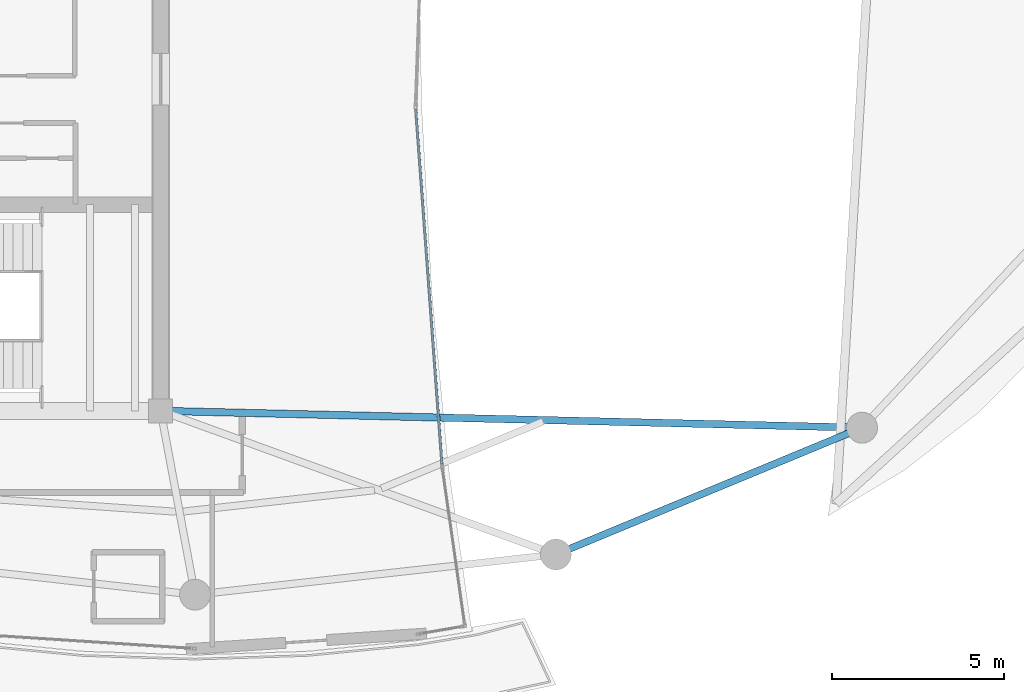
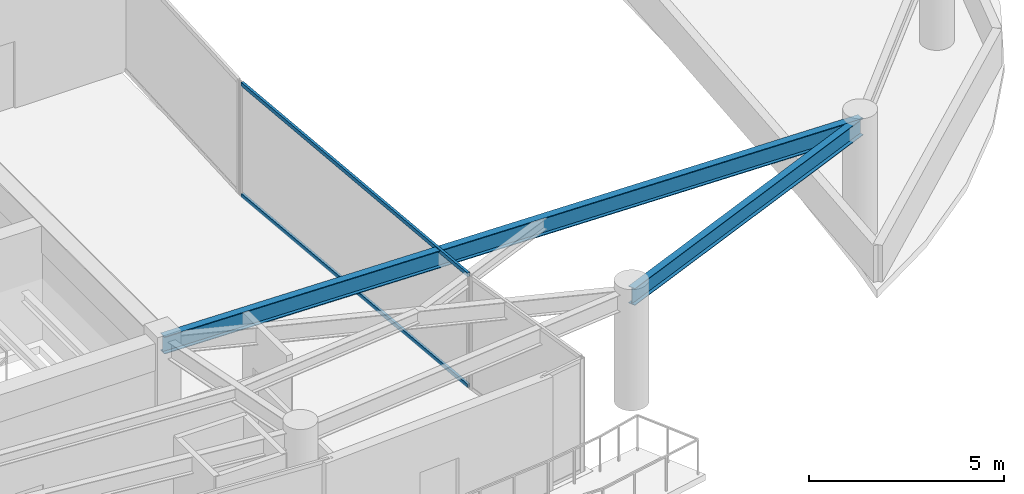
# One storey, part 11 of 23: 2 beams, 2 members, 1 element without a shape of its own.
"""IFC4 building model written with IfcOpenShell, lengths in metres."""

from ifc_helpers import new_model, si_unit, direction, frame, origin, origin_2d, place, context, subcontext, project, spatial, hollow_rectangle, i_section, extrude, material, layer, layer_set, material_profile, profile_set, type_object, element, aggregate, save


model = new_model("IFC4")

# Units and contexts
model_context = context("Model", 3, precision=1e-05, world=origin(), true_north=direction((0.0, 1.0)))
body_context = subcontext(model_context, "Body", "Model", "MODEL_VIEW")
ifc_project = project(units=[si_unit("LENGTHUNIT", "METRE"), si_unit("AREAUNIT", "SQUARE_METRE"), si_unit("VOLUMEUNIT", "CUBIC_METRE"), si_unit("PLANEANGLEUNIT", "RADIAN"), si_unit("MASSUNIT", "GRAM", prefix="KILO")], contexts=[model_context])

# Site, building, storey
site_placement = place(None, origin())
site = spatial("IfcSite", under=ifc_project, at=site_placement, CompositionType="ELEMENT")
building_placement = place(site_placement, origin())
building = spatial("IfcBuilding", under=site, at=building_placement, Name="Kazevale Care Tower and Concert Hall", CompositionType="ELEMENT")
storey_placement = place(building_placement, frame((0.0, 0.0, 266.199951171875)))
storey = spatial("IfcBuildingStorey", under=building, at=storey_placement, Name="L70", CompositionType="ELEMENT", Elevation=266.199951171875)

# Curtain wall, members
ifc_material_1 = material(Name="Aluminium 6063-T6 and Low-E Glass", Category="aluminium")
ifc_layer = layer(ifc_material_1, 0.179931640625)
ifc_layer_set = layer_set([ifc_layer], Name="Aluminium 6063-T6 and Low-E Glass")
curtain_wall_type = type_object("IfcCurtainWallType", Name="Sheltered Concave Balcony Curtain Wall CW-5", PredefinedType="NOTDEFINED", material=ifc_layer_set)
curtain_wall_placement = place(storey_placement, origin())
curtain_wall = element("IfcCurtainWall", 1, at=curtain_wall_placement, inside=storey, type_object=curtain_wall_type, Name="cw:L70:f15", PredefinedType="NOTDEFINED")
ifc_material_2 = material(Name="Aluminium 6063-T6", Category="aluminium")
ifc_material_profile_1 = material_profile(ifc_material_2, hollow_rectangle(XDim=0.074951171875, YDim=0.1201171875, WallThickness=0.00390625, at=origin_2d()), Name="ALU75x120x4")
ifc_profile_set_1 = profile_set([ifc_material_profile_1], Name="Aluminium 6063-T6")
member_type = type_object("IfcMemberType", Name="CW-5 Transom ALU75x120x4", PredefinedType="USERDEFINED", material=ifc_profile_set_1)
member_1_placement = place(storey_placement, frame((51.424560546875, 32.3623046875, 0.03759765625), z_axis=(0.073714215314, -0.997279406416, 0.0), x_axis=(0.997279406416, 0.073714215314, 0.0)))
member_1 = element("IfcMember", 2, at=member_1_placement, type_object=member_type, Name="CW-5 transom 1.1", ObjectType="TRANSOM", PredefinedType="USERDEFINED", context=body_context, shape_type="SweptSolid", body=[
    extrude(hollow_rectangle(XDim=0.074951171875, YDim=0.1201171875, WallThickness=0.00390625, at=origin_2d()), origin(), (0.0, 0.0, 1.0), 10.336669921875),
])
member_2_placement = place(storey_placement, frame((51.424560546875, 32.3623046875, 3.5224609375), z_axis=(0.073714215314, -0.997279406416, 0.0), x_axis=(0.997279406416, 0.073714215314, 0.0)))
member_2 = element("IfcMember", 3, at=member_2_placement, type_object=member_type, Name="CW-5 transom 1.2", ObjectType="TRANSOM", PredefinedType="USERDEFINED", context=body_context, shape_type="SweptSolid", body=[
    extrude(hollow_rectangle(XDim=0.074951171875, YDim=0.1201171875, WallThickness=0.00390625, at=origin_2d()), origin(), (0.0, 0.0, 1.0), 10.336669921875),
])
aggregate(curtain_wall, [member_1, member_2])

# Beams
ifc_material_3 = material(Name="Steel ASTM A572 Gr 50", Category="steel")
ifc_material_profile_2 = material_profile(ifc_material_3, i_section(OverallWidth=0.2119140625, OverallDepth=0.5439453125, WebThickness=0.01318359375, FlangeThickness=0.021240234375, at=origin_2d()), Name="W530x123")
ifc_profile_set_2 = profile_set([ifc_material_profile_2], Name="Steel ASTM A572 Gr 50")
beam_type_1 = type_object("IfcBeamType", Name="Radial Floor Girder W530x123", PredefinedType="BEAM", material=ifc_profile_set_2)
beam_1_placement = place(storey_placement, frame((44.0, 23.60009765625, 3.2880859375), z_axis=(0.999711945342, -0.024000548742, 0.0), x_axis=(0.024000548742, 0.999711945342, 0.0)))
element("IfcBeam", 4, at=beam_1_placement, inside=storey, type_object=beam_type_1, Name="beam:L70:rad:15", PredefinedType="BEAM", context=body_context, shape_type="SweptSolid", body=[
    extrude(i_section(OverallWidth=0.2119140625, OverallDepth=0.5439453125, WebThickness=0.01318359375, FlangeThickness=0.021240234375, at=origin_2d()), origin(), (0.0, 0.0, 1.0), 20.415771484375),
])
ifc_material_profile_3 = material_profile(ifc_material_3, i_section(OverallWidth=0.208984375, OverallDepth=0.532958984375, WebThickness=0.01025390625, FlangeThickness=0.015625, at=origin_2d()), Name="W530x92")
ifc_profile_set_3 = profile_set([ifc_material_profile_3], Name="Steel ASTM A572 Gr 50")
beam_type_2 = type_object("IfcBeamType", Name="Upper Ring Beam W530x92", PredefinedType="BEAM", material=ifc_profile_set_3)
beam_2_placement = place(storey_placement, frame((55.5, 19.419921875, 3.29345703125), z_axis=(0.923894961945, 0.382646180293, 0.0), x_axis=(-0.382646180293, 0.923894961945, 0.0)))
element("IfcBeam", 5, at=beam_2_placement, inside=storey, type_object=beam_type_2, Name="beam:L70:ring:14", PredefinedType="BEAM", context=body_context, shape_type="SweptSolid", body=[
    extrude(i_section(OverallWidth=0.208984375, OverallDepth=0.532958984375, WebThickness=0.01025390625, FlangeThickness=0.015625, at=origin_2d()), origin(), (0.0, 0.0, 1.0), 9.643798828125),
])

save(model, "model.ifc")
